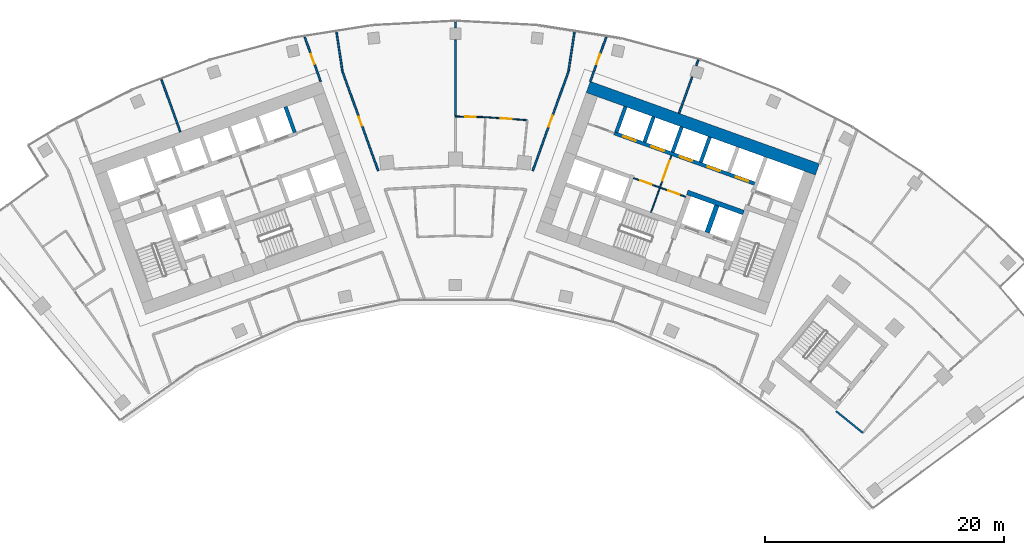
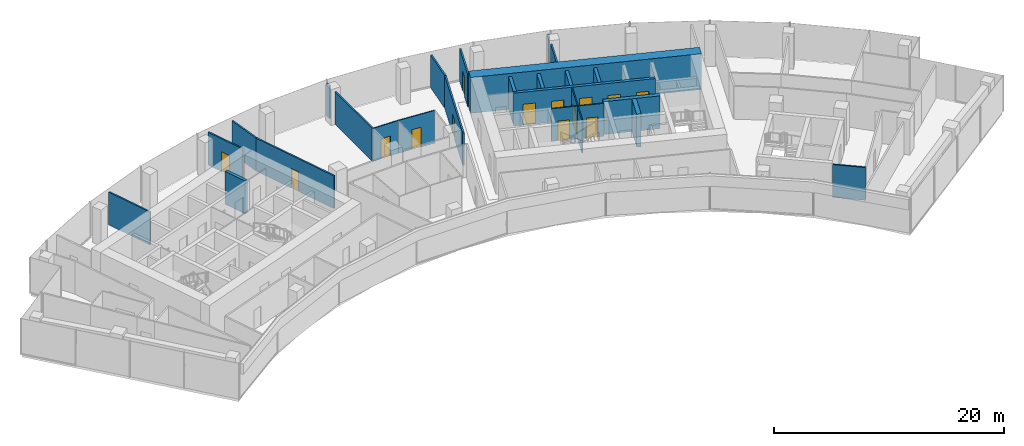
# One storey, part 13 of 16: 25 walls, 14 doors, 14 openings.
"""IFC4 building model written with IfcOpenShell, lengths in metres."""

from ifc_helpers import new_model, si_unit, direction, frame, frame_2d, origin, place, context, subcontext, project, spatial, rectangle, extrude, material, layer, layer_set, type_object, element, fill, save


model = new_model("IFC4")

# Units and contexts
model_context = context("Model", 3, precision=1e-05, world=origin(), true_north=direction((0.0, 1.0)))
body_context = subcontext(model_context, "Body", "Model", "MODEL_VIEW")
ifc_project = project(units=[si_unit("LENGTHUNIT", "METRE"), si_unit("AREAUNIT", "SQUARE_METRE"), si_unit("VOLUMEUNIT", "CUBIC_METRE"), si_unit("PLANEANGLEUNIT", "RADIAN"), si_unit("MASSUNIT", "GRAM", prefix="KILO")], contexts=[model_context])

# Site, building, storey
site_placement = place(None, origin())
site = spatial("IfcSite", under=ifc_project, at=site_placement, CompositionType="ELEMENT")
building_placement = place(site_placement, origin())
building = spatial("IfcBuilding", under=site, at=building_placement, Name="Stone Belt Terrace Tower", CompositionType="ELEMENT")
storey_placement = place(building_placement, frame((0.0, 0.0, 242.800048828125)))
storey = spatial("IfcBuildingStorey", under=building, at=storey_placement, Name="L59", CompositionType="ELEMENT", Elevation=242.800048828125)

# Wall, openings, doors
ifc_material_1 = material(Name="Plasterboard partition")
ifc_layer_1 = layer(ifc_material_1, 0.10009765625)
ifc_layer_set_1 = layer_set([ifc_layer_1], Name="Core partition 100")
wall_type_1 = type_object("IfcWallType", Name="Core partition 100", PredefinedType="PARTITIONING", material=ifc_layer_set_1)
wall_1_placement = place(storey_placement, frame((19.29052734375, 51.829833984375, 0.0), z_axis=(0.0, 0.0, 1.0), x_axis=(-0.940930240745, 0.338600475563, 0.0)))
wall_1 = element("IfcWall", 1, at=wall_1_placement, inside=storey, type_object=wall_type_1, Name="Core B wall", PredefinedType="PARTITIONING", context=body_context, shape_type="SweptSolid", body=[
    extrude(rectangle(XDim=4.64990234375, YDim=0.10009765625, at=frame_2d((2.324951171875, 0.0))), origin(), (0.0, 0.0, 1.0), 3.47998046875),
])
opening_1_placement = place(wall_1_placement, frame((0.550048828125, 0.0, 0.0)))
opening_1 = element("IfcOpeningElement", 2, at=opening_1_placement, cuts=wall_1, Name="Opening L59-C16", PredefinedType="OPENING", context=body_context, shape_type="SweptSolid", body=[
    extrude(rectangle(XDim=1.0, YDim=2.10009765625, at=frame_2d((0.5, 1.050048828125))), frame((0.0, 0.06005859375, 0.0), z_axis=(0.0, -1.0, 0.0), x_axis=(1.0, 0.0, 0.0)), (0.0, 0.0, 1.0), 0.1201171875),
])
opening_2_placement = place(wall_1_placement, frame((3.050048828125, 0.0, 0.0)))
opening_2 = element("IfcOpeningElement", 3, at=opening_2_placement, cuts=wall_1, Name="Opening L59-C17", PredefinedType="OPENING", context=body_context, shape_type="SweptSolid", body=[
    extrude(rectangle(XDim=1.0, YDim=2.10009765625, at=frame_2d((0.5, 1.050048828125))), frame((0.0, 0.06005859375, 0.0), z_axis=(0.0, -1.0, 0.0), x_axis=(1.0, 0.0, 0.0)), (0.0, 0.0, 1.0), 0.1201171875),
])
ifc_material_2 = material(Name="Timber door leaf", Category="wood")
door_type_1 = type_object("IfcDoorType", Name="Core room door 1000", OperationType="SINGLE_SWING_LEFT", PredefinedType="DOOR", material=ifc_material_2)
door_1_placement = place(opening_1_placement, origin())
door_1 = element("IfcDoor", 4, at=door_1_placement, inside=storey, type_object=door_type_1, Name="Door to Print and copy room core B", OperationType="SINGLE_SWING_RIGHT", OverallHeight=2.10009765625, OverallWidth=1.0, PredefinedType="DOOR", context=body_context, shape_type="SweptSolid", body=[
    extrude(rectangle(XDim=1.0, YDim=2.10009765625, at=frame_2d((0.5, 1.050048828125))), frame((0.0, 0.02490234375, 0.0), z_axis=(0.0, -1.0, 0.0), x_axis=(1.0, 0.0, 0.0)), (0.0, 0.0, 1.0), 0.050048828125),
])
fill(opening_1, door_1)
door_2_placement = place(opening_2_placement, origin())
door_2 = element("IfcDoor", 5, at=door_2_placement, inside=storey, type_object=door_type_1, Name="Door to Pantry core B", OperationType="SINGLE_SWING_LEFT", OverallHeight=2.10009765625, OverallWidth=1.0, PredefinedType="DOOR", context=body_context, shape_type="SweptSolid", body=[
    extrude(rectangle(XDim=1.0, YDim=2.10009765625, at=frame_2d((0.5, 1.050048828125))), frame((0.0, 0.02490234375, 0.0), z_axis=(0.0, -1.0, 0.0), x_axis=(1.0, 0.0, 0.0)), (0.0, 0.0, 1.0), 0.050048828125),
])
fill(opening_2, door_2)

# Wall, opening, door
wall_2_placement = place(storey_placement, frame((16.38134765625, 50.53857421875, 0.0), z_axis=(0.0, 0.0, 1.0), x_axis=(0.33860476744, 0.940928696271, 0.0)))
wall_2 = element("IfcWall", 6, at=wall_2_placement, inside=storey, type_object=wall_type_1, Name="Core B wall", PredefinedType="PARTITIONING", context=body_context, shape_type="SweptSolid", body=[
    extrude(rectangle(XDim=5.050048828125, YDim=0.10009765625, at=frame_2d((2.52490234375, 0.0))), origin(), (0.0, 0.0, 1.0), 3.47998046875),
])
opening_3_placement = place(wall_2_placement, frame((2.800048828125, 0.0, 0.0)))
opening_3 = element("IfcOpeningElement", 7, at=opening_3_placement, cuts=wall_2, Name="Opening L59-C20", PredefinedType="OPENING", context=body_context, shape_type="SweptSolid", body=[
    extrude(rectangle(XDim=1.800048828125, YDim=2.10009765625, at=frame_2d((0.89990234375, 1.050048828125))), frame((0.0, 0.06005859375, 0.0), z_axis=(0.0, -1.0, 0.0), x_axis=(1.0, 0.0, 0.0)), (0.0, 0.0, 1.0), 0.1201171875),
])
ifc_material_3 = material(Name="Glazed aluminium door leaf", Category="aluminium")
door_type_2 = type_object("IfcDoorType", Name="Lift lobby entrance door 1800", OperationType="DOUBLE_DOOR_SINGLE_SWING", PredefinedType="DOOR", material=ifc_material_3)
door_3_placement = place(opening_3_placement, origin())
door_3 = element("IfcDoor", 8, at=door_3_placement, inside=storey, type_object=door_type_2, Name="Lift lobby double door core B", OperationType="DOUBLE_DOOR_SINGLE_SWING", OverallHeight=2.10009765625, OverallWidth=1.800048828125, PredefinedType="DOOR", context=body_context, shape_type="SweptSolid", body=[
    extrude(rectangle(XDim=1.800048828125, YDim=2.10009765625, at=frame_2d((0.89990234375, 1.050048828125))), frame((0.0, 0.02490234375, 0.0), z_axis=(0.0, -1.0, 0.0), x_axis=(1.0, 0.0, 0.0)), (0.0, 0.0, 1.0), 0.050048828125),
])
fill(opening_3, door_3)

# Walls
ifc_material_4 = material(Name="Concrete B60", Category="concrete")
ifc_layer_2 = layer(ifc_material_4, 1.0)
ifc_layer_set_2 = layer_set([ifc_layer_2], Name="Core wall 1000 B60")
wall_type_2 = type_object("IfcWallType", Name="Core wall 1000 B60", PredefinedType="SHEAR", material=ifc_layer_set_2)
wall_3_placement = place(storey_placement, frame((11.12646484375, 61.038330078125, 0.0), z_axis=(0.0, 0.0, 1.0), x_axis=(0.940921428504, -0.338624962727, 0.0)))
element("IfcWall", 9, at=wall_3_placement, inside=storey, type_object=wall_type_2, Name="Core B wall convex L59", PredefinedType="SHEAR", context=body_context, shape_type="SweptSolid", body=[
    extrude(rectangle(XDim=20.400146484375, YDim=1.0, at=frame_2d((10.2001953125, 0.0))), origin(), (0.0, 0.0, 1.0), 3.800048828125),
])
ifc_material_5 = material(Name="Concrete B80", Category="concrete")
ifc_layer_3 = layer(ifc_material_5, 0.39990234375)
ifc_layer_set_3 = layer_set([ifc_layer_3], Name="Fire-fighting lift shaft wall 400")
wall_type_3 = type_object("IfcWallType", Name="Fire-fighting lift shaft wall 400", PredefinedType="SHEAR", material=ifc_layer_set_3)
wall_4_placement = place(storey_placement, frame((24.130615234375, 50.512939453125, 0.0), z_axis=(0.0, 0.0, 1.0), x_axis=(-0.94091168377, 0.338652038744, 0.0)))
element("IfcWall", 10, at=wall_4_placement, inside=storey, type_object=wall_type_3, Name="Core B wall", PredefinedType="SHEAR", context=body_context, shape_type="SweptSolid", body=[
    extrude(rectangle(XDim=5.000244140625, YDim=0.39990234375, at=frame_2d((2.5, 0.0))), origin(), (0.0, 0.0, 1.0), 3.47998046875),
])
wall_5_placement = place(storey_placement, frame((21.0859375, 48.845458984375, 0.0), z_axis=(0.0, 0.0, 1.0), x_axis=(0.338629416206, 0.940919825745, 0.0)))
element("IfcWall", 11, at=wall_5_placement, inside=storey, type_object=wall_type_3, Name="Core B wall", PredefinedType="SHEAR", context=body_context, shape_type="SweptSolid", body=[
    extrude(rectangle(XDim=2.400146484375, YDim=0.39990234375, at=frame_2d((1.2001953125, 0.0))), origin(), (0.0, 0.0, 1.0), 3.47998046875),
])
ifc_layer_4 = layer(ifc_material_5, 0.300048828125)
ifc_layer_set_4 = layer_set([ifc_layer_4], Name="Lift shaft wall 300")
wall_type_4 = type_object("IfcWallType", Name="Lift shaft wall 300", PredefinedType="SHEAR", material=ifc_layer_set_4)
wall_6_placement = place(storey_placement, frame((-13.471435546875, 57.218505859375, 0.0), z_axis=(0.0, 0.0, 1.0), x_axis=(-0.338587917, 0.940934759939, 0.0)))
element("IfcWall", 12, at=wall_6_placement, inside=storey, type_object=wall_type_4, Name="Core A wall", PredefinedType="SHEAR", context=body_context, shape_type="SweptSolid", body=[
    extrude(rectangle(XDim=2.300048828125, YDim=0.300048828125, at=frame_2d((1.14990234375, 0.0))), origin(), (0.0, 0.0, 1.0), 3.47998046875),
])

# Wall, openings, doors
wall_7_placement = place(storey_placement, frame((25.05810546875, 52.9423828125, 0.0), z_axis=(0.0, 0.0, 1.0), x_axis=(-0.940920770291, 0.338626791666, 0.0)))
wall_7 = element("IfcWall", 13, at=wall_7_placement, inside=storey, type_object=wall_type_4, Name="Core B wall", PredefinedType="SHEAR", context=body_context, shape_type="SweptSolid", body=[
    extrude(rectangle(XDim=12.500244140625, YDim=0.300048828125, at=frame_2d((6.25, 0.0))), origin(), (0.0, 0.0, 1.0), 3.47998046875),
])
opening_4_placement = place(wall_7_placement, frame((0.570068359375, 0.0, 0.0)))
opening_4 = element("IfcOpeningElement", 14, at=opening_4_placement, cuts=wall_7, Name="Opening L59-LD09", PredefinedType="OPENING", context=body_context, shape_type="SweptSolid", body=[
    extrude(rectangle(XDim=1.10009765625, YDim=2.199951171875, at=frame_2d((0.550048828125, 1.10009765625))), frame((0.0, 0.159912109375, 0.0), z_axis=(0.0, -1.0, 0.0), x_axis=(1.0, 0.0, 0.0)), (0.0, 0.0, 1.0), 0.320068359375),
])
opening_5_placement = place(wall_7_placement, frame((3.070068359375, 0.0, 0.0)))
opening_5 = element("IfcOpeningElement", 15, at=opening_5_placement, cuts=wall_7, Name="Opening L59-LD10", PredefinedType="OPENING", context=body_context, shape_type="SweptSolid", body=[
    extrude(rectangle(XDim=1.10009765625, YDim=2.199951171875, at=frame_2d((0.550048828125, 1.10009765625))), frame((0.0, 0.159912109375, 0.0), z_axis=(0.0, -1.0, 0.0), x_axis=(1.0, 0.0, 0.0)), (0.0, 0.0, 1.0), 0.320068359375),
])
opening_6_placement = place(wall_7_placement, frame((5.570068359375, 0.0, 0.0)))
opening_6 = element("IfcOpeningElement", 16, at=opening_6_placement, cuts=wall_7, Name="Opening L59-LD11", PredefinedType="OPENING", context=body_context, shape_type="SweptSolid", body=[
    extrude(rectangle(XDim=1.10009765625, YDim=2.199951171875, at=frame_2d((0.550048828125, 1.10009765625))), frame((0.0, 0.159912109375, 0.0), z_axis=(0.0, -1.0, 0.0), x_axis=(1.0, 0.0, 0.0)), (0.0, 0.0, 1.0), 0.320068359375),
])
opening_7_placement = place(wall_7_placement, frame((8.070068359375, 0.0, 0.0)))
opening_7 = element("IfcOpeningElement", 17, at=opening_7_placement, cuts=wall_7, Name="Opening L59-LD12", PredefinedType="OPENING", context=body_context, shape_type="SweptSolid", body=[
    extrude(rectangle(XDim=1.10009765625, YDim=2.199951171875, at=frame_2d((0.550048828125, 1.10009765625))), frame((0.0, 0.159912109375, 0.0), z_axis=(0.0, -1.0, 0.0), x_axis=(1.0, 0.0, 0.0)), (0.0, 0.0, 1.0), 0.320068359375),
])
opening_8_placement = place(wall_7_placement, frame((10.570068359375, 0.0, 0.0)))
opening_8 = element("IfcOpeningElement", 18, at=opening_8_placement, cuts=wall_7, Name="Opening L59-LD13", PredefinedType="OPENING", context=body_context, shape_type="SweptSolid", body=[
    extrude(rectangle(XDim=1.10009765625, YDim=2.199951171875, at=frame_2d((0.550048828125, 1.10009765625))), frame((0.0, 0.159912109375, 0.0), z_axis=(0.0, -1.0, 0.0), x_axis=(1.0, 0.0, 0.0)), (0.0, 0.0, 1.0), 0.320068359375),
])
ifc_material_6 = material(Name="Stainless steel door leaf", Category="steel")
door_type_3 = type_object("IfcDoorType", Name="Landing door 1100", OperationType="SLIDING_TO_LEFT", PredefinedType="DOOR", material=ifc_material_6)
door_4_placement = place(opening_4_placement, origin())
door_4 = element("IfcDoor", 19, at=door_4_placement, inside=storey, type_object=door_type_3, Name="Landing door MR1 core B", OperationType="SLIDING_TO_LEFT", OverallHeight=2.199951171875, OverallWidth=1.10009765625, PredefinedType="DOOR", context=body_context, shape_type="SweptSolid", body=[
    extrude(rectangle(XDim=1.10009765625, YDim=2.199951171875, at=frame_2d((0.550048828125, 1.10009765625))), frame((0.0, 0.02490234375, 0.0), z_axis=(0.0, -1.0, 0.0), x_axis=(1.0, 0.0, 0.0)), (0.0, 0.0, 1.0), 0.050048828125),
])
fill(opening_4, door_4)
door_5_placement = place(opening_5_placement, origin())
door_5 = element("IfcDoor", 20, at=door_5_placement, inside=storey, type_object=door_type_3, Name="Landing door MR2 core B", OperationType="SLIDING_TO_LEFT", OverallHeight=2.199951171875, OverallWidth=1.10009765625, PredefinedType="DOOR", context=body_context, shape_type="SweptSolid", body=[
    extrude(rectangle(XDim=1.10009765625, YDim=2.199951171875, at=frame_2d((0.550048828125, 1.10009765625))), frame((0.0, 0.02490234375, 0.0), z_axis=(0.0, -1.0, 0.0), x_axis=(1.0, 0.0, 0.0)), (0.0, 0.0, 1.0), 0.050048828125),
])
fill(opening_5, door_5)
door_6_placement = place(opening_6_placement, origin())
door_6 = element("IfcDoor", 21, at=door_6_placement, inside=storey, type_object=door_type_3, Name="Landing door MR3 core B", OperationType="SLIDING_TO_LEFT", OverallHeight=2.199951171875, OverallWidth=1.10009765625, PredefinedType="DOOR", context=body_context, shape_type="SweptSolid", body=[
    extrude(rectangle(XDim=1.10009765625, YDim=2.199951171875, at=frame_2d((0.550048828125, 1.10009765625))), frame((0.0, 0.02490234375, 0.0), z_axis=(0.0, -1.0, 0.0), x_axis=(1.0, 0.0, 0.0)), (0.0, 0.0, 1.0), 0.050048828125),
])
fill(opening_6, door_6)
door_7_placement = place(opening_7_placement, origin())
door_7 = element("IfcDoor", 22, at=door_7_placement, inside=storey, type_object=door_type_3, Name="Landing door MR4 core B", OperationType="SLIDING_TO_LEFT", OverallHeight=2.199951171875, OverallWidth=1.10009765625, PredefinedType="DOOR", context=body_context, shape_type="SweptSolid", body=[
    extrude(rectangle(XDim=1.10009765625, YDim=2.199951171875, at=frame_2d((0.550048828125, 1.10009765625))), frame((0.0, 0.02490234375, 0.0), z_axis=(0.0, -1.0, 0.0), x_axis=(1.0, 0.0, 0.0)), (0.0, 0.0, 1.0), 0.050048828125),
])
fill(opening_7, door_7)
door_8_placement = place(opening_8_placement, origin())
door_8 = element("IfcDoor", 23, at=door_8_placement, inside=storey, type_object=door_type_3, Name="Landing door MR5 core B", OperationType="SLIDING_TO_LEFT", OverallHeight=2.199951171875, OverallWidth=1.10009765625, PredefinedType="DOOR", context=body_context, shape_type="SweptSolid", body=[
    extrude(rectangle(XDim=1.10009765625, YDim=2.199951171875, at=frame_2d((0.550048828125, 1.10009765625))), frame((0.0, 0.02490234375, 0.0), z_axis=(0.0, -1.0, 0.0), x_axis=(1.0, 0.0, 0.0)), (0.0, 0.0, 1.0), 0.050048828125),
])
fill(opening_8, door_8)

# Walls
wall_8_placement = place(storey_placement, frame((20.54541015625, 54.72607421875, 0.0), z_axis=(0.0, 0.0, 1.0), x_axis=(0.338569601369, 0.940941350472, 0.0)))
element("IfcWall", 24, at=wall_8_placement, inside=storey, type_object=wall_type_4, Name="Core B wall", PredefinedType="SHEAR", context=body_context, shape_type="SweptSolid", body=[
    extrude(rectangle(XDim=2.249755859375, YDim=0.300048828125, at=frame_2d((1.125, 0.0))), origin(), (0.0, 0.0, 1.0), 3.47998046875),
])
wall_9_placement = place(storey_placement, frame((18.193115234375, 55.572509765625, 0.0), z_axis=(0.0, 0.0, 1.0), x_axis=(0.338535034312, 0.940953787677, 0.0)))
element("IfcWall", 25, at=wall_9_placement, inside=storey, type_object=wall_type_4, Name="Core B wall", PredefinedType="SHEAR", context=body_context, shape_type="SweptSolid", body=[
    extrude(rectangle(XDim=2.25, YDim=0.300048828125, at=frame_2d((1.125, 0.0))), origin(), (0.0, 0.0, 1.0), 3.47998046875),
])
wall_10_placement = place(storey_placement, frame((15.8408203125, 56.419189453125, 0.0), z_axis=(0.0, 0.0, 1.0), x_axis=(0.338569601369, 0.940941350472, 0.0)))
element("IfcWall", 26, at=wall_10_placement, inside=storey, type_object=wall_type_4, Name="Core B wall", PredefinedType="SHEAR", context=body_context, shape_type="SweptSolid", body=[
    extrude(rectangle(XDim=2.249755859375, YDim=0.300048828125, at=frame_2d((1.125, 0.0))), origin(), (0.0, 0.0, 1.0), 3.47998046875),
])
wall_11_placement = place(storey_placement, frame((13.471435546875, 57.218505859375, 0.0), z_axis=(0.0, 0.0, 1.0), x_axis=(0.338587917, 0.940934759939, 0.0)))
element("IfcWall", 27, at=wall_11_placement, inside=storey, type_object=wall_type_4, Name="Core B wall", PredefinedType="SHEAR", context=body_context, shape_type="SweptSolid", body=[
    extrude(rectangle(XDim=2.300048828125, YDim=0.300048828125, at=frame_2d((1.14990234375, 0.0))), origin(), (0.0, 0.0, 1.0), 3.47998046875),
])

# Wall, opening, door
ifc_material_7 = material(Name="Gypsum board partition")
ifc_layer_5 = layer(ifc_material_7, 0.10009765625)
ifc_layer_set_5 = layer_set([ifc_layer_5], Name="PARTITION 100")
wall_type_5 = type_object("IfcWallType", Name="PARTITION 100", PredefinedType="PARTITIONING", material=ifc_layer_set_5)
wall_12_placement = place(storey_placement, frame((2.501953125, 58.510986328125, 0.0), z_axis=(0.0, 0.0, 1.0), x_axis=(-0.999767552504, 0.021560170678, 0.0)))
wall_12 = element("IfcWall", 28, at=wall_12_placement, inside=storey, type_object=wall_type_5, Name="L59/wall/i079", PredefinedType="PARTITIONING", context=body_context, shape_type="SweptSolid", body=[
    extrude(rectangle(XDim=2.50244140625, YDim=0.10009765625, at=frame_2d((1.251220703125, 0.0))), origin(), (0.0, 0.0, 1.0), 3.47998046875),
])
opening_9_placement = place(wall_12_placement, frame((0.80126953125, 0.0, 0.0)))
opening_9 = element("IfcOpeningElement", 29, at=opening_9_placement, cuts=wall_12, Name="Opening D-D5b-26", PredefinedType="OPENING", context=body_context, shape_type="SweptSolid", body=[
    extrude(rectangle(XDim=0.89990234375, YDim=2.10009765625, at=frame_2d((0.449951171875, 1.050048828125))), frame((0.0, 0.06005859375, 0.0), z_axis=(0.0, -1.0, 0.0), x_axis=(1.0, 0.0, 0.0)), (0.0, 0.0, 1.0), 0.1201171875),
])
door_type_4 = type_object("IfcDoorType", Name="OFFICE DOOR 900 X 2100", OperationType="NOTDEFINED", PredefinedType="DOOR", material=ifc_material_2)
door_9_placement = place(opening_9_placement, origin())
door_9 = element("IfcDoor", 30, at=door_9_placement, inside=storey, type_object=door_type_4, Name="L59/door/i26", OperationType="SINGLE_SWING_RIGHT", OverallHeight=2.10009765625, OverallWidth=0.89990234375, PredefinedType="DOOR", context=body_context, shape_type="SweptSolid", body=[
    extrude(rectangle(XDim=0.89990234375, YDim=2.10009765625, at=frame_2d((0.449951171875, 1.050048828125))), frame((0.0, 0.02490234375, 0.0), z_axis=(0.0, -1.0, 0.0), x_axis=(1.0, 0.0, 0.0)), (0.0, 0.0, 1.0), 0.050048828125),
])
fill(opening_9, door_9)

wall_13_placement = place(storey_placement, frame((6.01611328125, 58.2548828125, 0.0), z_axis=(0.0, 0.0, 1.0), x_axis=(-0.99735496008, 0.072684823755, 0.0)))
wall_13 = element("IfcWall", 31, at=wall_13_placement, inside=storey, type_object=wall_type_5, Name="L59/wall/i081", PredefinedType="PARTITIONING", context=body_context, shape_type="SweptSolid", body=[
    extrude(rectangle(XDim=3.5234375, YDim=0.10009765625, at=frame_2d((1.76171875, 0.0))), origin(), (0.0, 0.0, 1.0), 3.47998046875),
])
opening_10_placement = place(wall_13_placement, frame((1.311767578125, 0.0, 0.0)))
opening_10 = element("IfcOpeningElement", 32, at=opening_10_placement, cuts=wall_13, Name="Opening D-D5b-27", PredefinedType="OPENING", context=body_context, shape_type="SweptSolid", body=[
    extrude(rectangle(XDim=0.89990234375, YDim=2.10009765625, at=frame_2d((0.449951171875, 1.050048828125))), frame((0.0, 0.06005859375, 0.0), z_axis=(0.0, -1.0, 0.0), x_axis=(1.0, 0.0, 0.0)), (0.0, 0.0, 1.0), 0.1201171875),
])
door_10_placement = place(opening_10_placement, origin())
door_10 = element("IfcDoor", 33, at=door_10_placement, inside=storey, type_object=door_type_4, Name="L59/door/i27", OperationType="SINGLE_SWING_RIGHT", OverallHeight=2.10009765625, OverallWidth=0.89990234375, PredefinedType="DOOR", context=body_context, shape_type="SweptSolid", body=[
    extrude(rectangle(XDim=0.89990234375, YDim=2.10009765625, at=frame_2d((0.449951171875, 1.050048828125))), frame((0.0, 0.02490234375, 0.0), z_axis=(0.0, -1.0, 0.0), x_axis=(1.0, 0.0, 0.0)), (0.0, 0.0, 1.0), 0.050048828125),
])
fill(opening_10, door_10)

ifc_layer_6 = layer(ifc_material_7, 0.14990234375)
ifc_layer_set_6 = layer_set([ifc_layer_6], Name="PARTITION 150 EI 60")
wall_type_6 = type_object("IfcWallType", Name="PARTITION 150 EI 60", PredefinedType="PARTITIONING", material=ifc_layer_set_6)
wall_14_placement = place(storey_placement, frame((-11.2958984375, 61.509033203125, 0.0), z_axis=(0.0, 0.0, 1.0), x_axis=(-0.338610223579, 0.940926732795, 0.0)))
wall_14 = element("IfcWall", 34, at=wall_14_placement, inside=storey, type_object=wall_type_6, Name="L59/wall/i007", PredefinedType="PARTITIONING", context=body_context, shape_type="SweptSolid", body=[
    extrude(rectangle(XDim=3.956787109375, YDim=0.14990234375, at=frame_2d((1.978515625, 0.0))), origin(), (0.0, 0.0, 1.0), 3.47998046875),
])
opening_11_placement = place(wall_14_placement, frame((1.5283203125, 0.0, 0.0)))
opening_11 = element("IfcOpeningElement", 35, at=opening_11_placement, cuts=wall_14, Name="Opening D-D5b-05", PredefinedType="OPENING", context=body_context, shape_type="SweptSolid", body=[
    extrude(rectangle(XDim=0.89990234375, YDim=2.10009765625, at=frame_2d((0.449951171875, 1.050048828125))), frame((0.0, 0.0849609375, 0.0), z_axis=(0.0, -1.0, 0.0), x_axis=(1.0, 0.0, 0.0)), (0.0, 0.0, 1.0), 0.169921875),
])
door_11_placement = place(opening_11_placement, origin())
door_11 = element("IfcDoor", 36, at=door_11_placement, inside=storey, type_object=door_type_4, Name="L59/door/i05", OperationType="SINGLE_SWING_RIGHT", OverallHeight=2.10009765625, OverallWidth=0.89990234375, PredefinedType="DOOR", context=body_context, shape_type="SweptSolid", body=[
    extrude(rectangle(XDim=0.89990234375, YDim=2.10009765625, at=frame_2d((0.449951171875, 1.050048828125))), frame((0.0, 0.02490234375, 0.0), z_axis=(0.0, -1.0, 0.0), x_axis=(1.0, 0.0, 0.0)), (0.0, 0.0, 1.0), 0.050048828125),
])
fill(opening_11, door_11)

# Wall
wall_15_placement = place(storey_placement, frame((-9.971923828125, 65.65576171875, 0.0), z_axis=(0.0, 0.0, 1.0), x_axis=(0.150154488208, -0.988662545903, 0.0)))
element("IfcWall", 37, at=wall_15_placement, inside=storey, type_object=wall_type_6, Name="L59/wall/i009", PredefinedType="PARTITIONING", context=body_context, shape_type="SweptSolid", body=[
    extrude(rectangle(XDim=3.35595703125, YDim=0.14990234375, at=frame_2d((1.677978515625, 0.0))), origin(), (0.0, 0.0, 1.0), 3.47998046875),
])

# Wall, opening, door
wall_16_placement = place(storey_placement, frame((-9.468017578125, 62.3369140625, 0.0), z_axis=(0.0, 0.0, 1.0), x_axis=(0.338603075024, -0.940929305307, 0.0)))
wall_16 = element("IfcWall", 38, at=wall_16_placement, inside=storey, type_object=wall_type_6, Name="L59/wall/i010", PredefinedType="PARTITIONING", context=body_context, shape_type="SweptSolid", body=[
    extrude(rectangle(XDim=8.839111328125, YDim=0.14990234375, at=frame_2d((4.41943359375, 0.0))), origin(), (0.0, 0.0, 1.0), 3.47998046875),
])
opening_12_placement = place(wall_16_placement, frame((4.01953125, 0.0, 0.0)))
opening_12 = element("IfcOpeningElement", 39, at=opening_12_placement, cuts=wall_16, Name="Opening D-D5b-24", PredefinedType="OPENING", context=body_context, shape_type="SweptSolid", body=[
    extrude(rectangle(XDim=0.800048828125, YDim=2.10009765625, at=frame_2d((0.39990234375, 1.050048828125))), frame((0.0, 0.0849609375, 0.0), z_axis=(0.0, -1.0, 0.0), x_axis=(1.0, 0.0, 0.0)), (0.0, 0.0, 1.0), 0.169921875),
])
door_type_5 = type_object("IfcDoorType", Name="STORE DOOR 800 X 2100", OperationType="NOTDEFINED", PredefinedType="DOOR", material=ifc_material_2)
door_12_placement = place(opening_12_placement, origin())
door_12 = element("IfcDoor", 40, at=door_12_placement, inside=storey, type_object=door_type_5, Name="L59/door/i24", OperationType="SINGLE_SWING_LEFT", OverallHeight=2.10009765625, OverallWidth=0.800048828125, PredefinedType="DOOR", context=body_context, shape_type="SweptSolid", body=[
    extrude(rectangle(XDim=0.800048828125, YDim=2.10009765625, at=frame_2d((0.39990234375, 1.050048828125))), frame((0.0, 0.02490234375, 0.0), z_axis=(0.0, -1.0, 0.0), x_axis=(1.0, 0.0, 0.0)), (0.0, 0.0, 1.0), 0.050048828125),
])
fill(opening_12, door_12)

# Wall
wall_17_placement = place(storey_placement, frame((-24.638916015625, 61.675048828125, 0.0), z_axis=(0.0, 0.0, 1.0), x_axis=(0.338671379008, -0.940904722616, 0.0)))
element("IfcWall", 41, at=wall_17_placement, inside=storey, type_object=wall_type_6, Name="L59/wall/i016", PredefinedType="PARTITIONING", context=body_context, shape_type="SweptSolid", body=[
    extrude(rectangle(XDim=4.674072265625, YDim=0.14990234375, at=frame_2d((2.3369140625, 0.0))), origin(), (0.0, 0.0, 1.0), 3.47998046875),
])

# Wall, opening, door
wall_18_placement = place(storey_placement, frame((12.6357421875, 65.232177734375, 0.0), z_axis=(0.0, 0.0, 1.0), x_axis=(-0.338610223579, -0.940926732795, 0.0)))
wall_18 = element("IfcWall", 42, at=wall_18_placement, inside=storey, type_object=wall_type_6, Name="L59/wall/i018", PredefinedType="PARTITIONING", context=body_context, shape_type="SweptSolid", body=[
    extrude(rectangle(XDim=3.956787109375, YDim=0.14990234375, at=frame_2d((1.978515625, 0.0))), origin(), (0.0, 0.0, 1.0), 3.47998046875),
])
opening_13_placement = place(wall_18_placement, frame((1.5283203125, 0.0, 0.0)))
opening_13 = element("IfcOpeningElement", 43, at=opening_13_placement, cuts=wall_18, Name="Opening D-D5b-09", PredefinedType="OPENING", context=body_context, shape_type="SweptSolid", body=[
    extrude(rectangle(XDim=0.89990234375, YDim=2.10009765625, at=frame_2d((0.449951171875, 1.050048828125))), frame((0.0, 0.0849609375, 0.0), z_axis=(0.0, -1.0, 0.0), x_axis=(1.0, 0.0, 0.0)), (0.0, 0.0, 1.0), 0.169921875),
])
door_13_placement = place(opening_13_placement, origin())
door_13 = element("IfcDoor", 44, at=door_13_placement, inside=storey, type_object=door_type_4, Name="L59/door/i09", OperationType="SINGLE_SWING_RIGHT", OverallHeight=2.10009765625, OverallWidth=0.89990234375, PredefinedType="DOOR", context=body_context, shape_type="SweptSolid", body=[
    extrude(rectangle(XDim=0.89990234375, YDim=2.10009765625, at=frame_2d((0.449951171875, 1.050048828125))), frame((0.0, 0.02490234375, 0.0), z_axis=(0.0, -1.0, 0.0), x_axis=(1.0, 0.0, 0.0)), (0.0, 0.0, 1.0), 0.050048828125),
])
fill(opening_13, door_13)

wall_19_placement = place(storey_placement, frame((6.47509765625, 54.02001953125, 0.0), z_axis=(0.0, 0.0, 1.0), x_axis=(0.338603075024, 0.940929305307, 0.0)))
wall_19 = element("IfcWall", 45, at=wall_19_placement, inside=storey, type_object=wall_type_6, Name="L59/wall/i020", PredefinedType="PARTITIONING", context=body_context, shape_type="SweptSolid", body=[
    extrude(rectangle(XDim=8.839111328125, YDim=0.14990234375, at=frame_2d((4.41943359375, 0.0))), origin(), (0.0, 0.0, 1.0), 3.47998046875),
])
opening_14_placement = place(wall_19_placement, frame((3.919677734375, 0.0, 0.0)))
opening_14 = element("IfcOpeningElement", 46, at=opening_14_placement, cuts=wall_19, Name="Opening D-D5b-25", PredefinedType="OPENING", context=body_context, shape_type="SweptSolid", body=[
    extrude(rectangle(XDim=1.0, YDim=2.10009765625, at=frame_2d((0.5, 1.050048828125))), frame((0.0, 0.0849609375, 0.0), z_axis=(0.0, -1.0, 0.0), x_axis=(1.0, 0.0, 0.0)), (0.0, 0.0, 1.0), 0.169921875),
])
ifc_material_8 = material(Name="Timber fire door leaf", Category="wood")
door_type_6 = type_object("IfcDoorType", Name="TENANCY ENTRANCE DOOR 1000 X 2100", OperationType="NOTDEFINED", PredefinedType="DOOR", material=ifc_material_8)
door_14_placement = place(opening_14_placement, origin())
door_14 = element("IfcDoor", 47, at=door_14_placement, inside=storey, type_object=door_type_6, Name="L59/door/i25", OperationType="SINGLE_SWING_RIGHT", OverallHeight=2.10009765625, OverallWidth=1.0, PredefinedType="DOOR", context=body_context, shape_type="SweptSolid", body=[
    extrude(rectangle(XDim=1.0, YDim=2.10009765625, at=frame_2d((0.5, 1.050048828125))), frame((0.0, 0.02490234375, 0.0), z_axis=(0.0, -1.0, 0.0), x_axis=(1.0, 0.0, 0.0)), (0.0, 0.0, 1.0), 0.050048828125),
])
fill(opening_14, door_14)

# Walls
wall_20_placement = place(storey_placement, frame((9.468017578125, 62.337890625, 0.0), z_axis=(0.0, 0.0, 1.0), x_axis=(0.150154488208, 0.988662545903, 0.0)))
element("IfcWall", 48, at=wall_20_placement, inside=storey, type_object=wall_type_6, Name="L59/wall/i021", PredefinedType="PARTITIONING", context=body_context, shape_type="SweptSolid", body=[
    extrude(rectangle(XDim=3.35595703125, YDim=0.14990234375, at=frame_2d((1.677978515625, 0.0))), origin(), (0.0, 0.0, 1.0), 3.47998046875),
])
wall_21_placement = place(storey_placement, frame((20.337890625, 63.302001953125, 0.0), z_axis=(0.0, 0.0, 1.0), x_axis=(-0.33892909722, -0.940811919066, 0.0)))
element("IfcWall", 49, at=wall_21_placement, inside=storey, type_object=wall_type_6, Name="L59/wall/i033", PredefinedType="PARTITIONING", context=body_context, shape_type="SweptSolid", body=[
    extrude(rectangle(XDim=0.494873046875, YDim=0.14990234375, at=frame_2d((0.24755859375, 0.0))), origin(), (0.0, 0.0, 1.0), 3.47998046875),
])
wall_22_placement = place(storey_placement, frame((19.828125, 61.885498046875, 0.0), z_axis=(0.0, 0.0, 1.0), x_axis=(-0.338610171134, -0.940926751668, 0.0)))
element("IfcWall", 50, at=wall_22_placement, inside=storey, type_object=wall_type_6, Name="L59/wall/i034", PredefinedType="PARTITIONING", context=body_context, shape_type="SweptSolid", body=[
    extrude(rectangle(XDim=3.2431640625, YDim=0.14990234375, at=frame_2d((1.62158203125, 0.0))), origin(), (0.0, 0.0, 1.0), 3.47998046875),
])
wall_23_placement = place(storey_placement, frame((34.133056640625, 32.055908203125, 0.0), z_axis=(0.0, 0.0, 1.0), x_axis=(-0.776369956068, 0.630277471686, 0.0)))
element("IfcWall", 51, at=wall_23_placement, inside=storey, type_object=wall_type_6, Name="L59/wall/i053", PredefinedType="PARTITIONING", context=body_context, shape_type="SweptSolid", body=[
    extrude(rectangle(XDim=2.8876953125, YDim=0.14990234375, at=frame_2d((1.44384765625, 0.0))), origin(), (0.0, 0.0, 1.0), 3.47998046875),
])
wall_24_placement = place(storey_placement, frame((0.0, 66.5, 0.0), z_axis=(0.0, 0.0, 1.0), x_axis=(0.0, -1.0, 0.0)))
element("IfcWall", 52, at=wall_24_placement, inside=storey, type_object=wall_type_6, Name="L59/wall/i076", PredefinedType="PARTITIONING", context=body_context, shape_type="SweptSolid", body=[
    extrude(rectangle(XDim=0.506103515625, YDim=0.14990234375, at=frame_2d((0.2529296875, 0.0))), origin(), (0.0, 0.0, 1.0), 3.47998046875),
])
wall_25_placement = place(storey_placement, frame((0.0, 64.98388671875, 0.0), z_axis=(0.0, 0.0, 1.0), x_axis=(0.0, -1.0, 0.0)))
element("IfcWall", 53, at=wall_25_placement, inside=storey, type_object=wall_type_6, Name="L59/wall/i077", PredefinedType="PARTITIONING", context=body_context, shape_type="SweptSolid", body=[
    extrude(rectangle(XDim=6.4248046875, YDim=0.14990234375, at=frame_2d((3.21240234375, 0.0))), origin(), (0.0, 0.0, 1.0), 3.47998046875),
])

save(model, "model.ifc")
